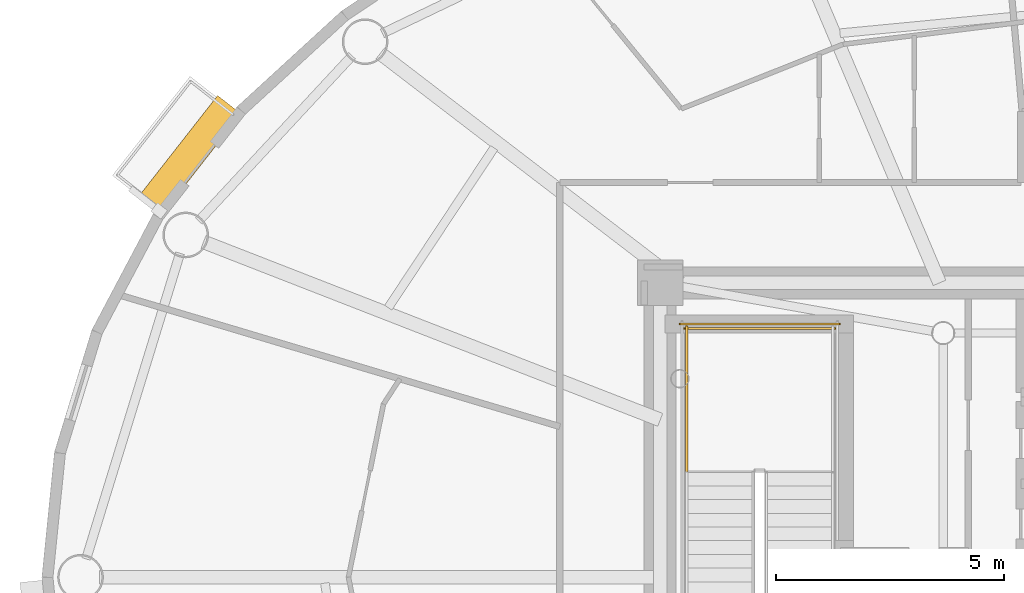
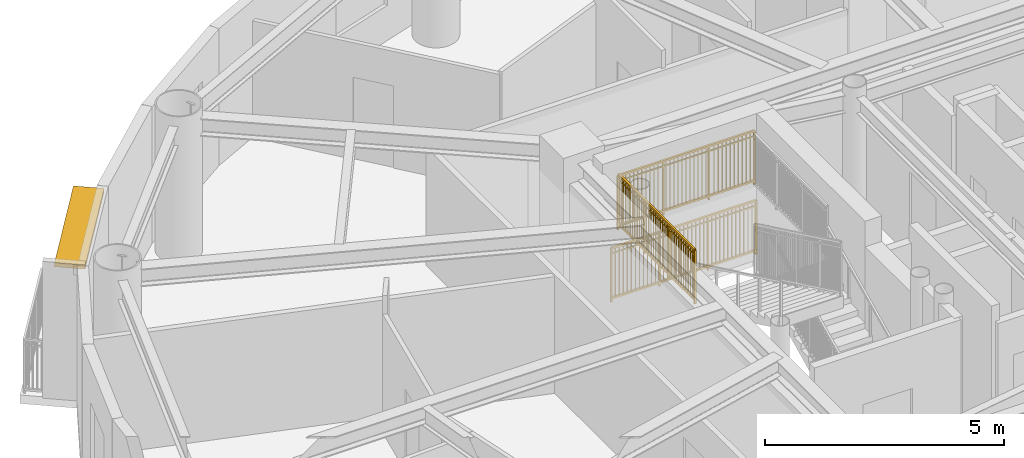
# One storey, part 14 of 17: 3 railings, 1 shading device.
"""IFC4 building model written with IfcOpenShell, lengths in metres."""

from ifc_helpers import new_model, si_unit, direction, frame, origin, origin_2d, place, context, subcontext, project, spatial, rectangle, extrude, source, transform, mapped, material, layer, layer_set, type_object, element, save


model = new_model("IFC4")

# Units and contexts
model_context = context("Model", 3, precision=1e-05, world=origin(), true_north=direction((0.0, 1.0)))
body_context = subcontext(model_context, "Body", "Model", "MODEL_VIEW")
ifc_project = project(units=[si_unit("LENGTHUNIT", "METRE"), si_unit("AREAUNIT", "SQUARE_METRE"), si_unit("VOLUMEUNIT", "CUBIC_METRE"), si_unit("PLANEANGLEUNIT", "RADIAN"), si_unit("MASSUNIT", "GRAM", prefix="KILO")], contexts=[model_context])

# Site, building, storey
site_placement = place(None, origin())
site = spatial("IfcSite", under=ifc_project, at=site_placement, CompositionType="ELEMENT")
building_placement = place(site_placement, origin())
building = spatial("IfcBuilding", under=site, at=building_placement, Name="Linh Dai School and Residence Tower", CompositionType="ELEMENT")
storey_placement = place(building_placement, frame((0.0, 0.0, 276.75)))
storey = spatial("IfcBuildingStorey", under=building, at=storey_placement, Name="L68", CompositionType="ELEMENT", Elevation=276.75)

# Shading device
ifc_material_1 = material(Name="Terracotta Ceramic Sunshade", Category="masonry")
ifc_layer = layer(ifc_material_1, 0.10009765625)
ifc_layer_set = layer_set([ifc_layer], Name="Terracotta Ceramic Sunshade")
shading_device_type = type_object("IfcShadingDeviceType", Name="SHD-TC-650", PredefinedType="USERDEFINED", material=ifc_layer_set)
shared_shape_1 = source(origin(), body_context, "Body", "SweptSolid", [
    extrude(rectangle(XDim=2.84033203125, YDim=0.64990234375, at=origin_2d()), origin(), (0.0, 0.0, 1.0), 0.10009765625),
])
shading_device_placement = place(storey_placement, frame((16.83349609375, 36.2353515625, 3.3798828125), z_axis=(0.0, 0.0, 1.0), x_axis=(0.616310813471, 0.78750300393, 0.0)))
element("IfcShadingDevice", 1, at=shading_device_placement, inside=storey, type_object=shading_device_type, Name="L68 Terracotta Horizontal Sunshade Band 17", ObjectType="SUNSHADE", PredefinedType="USERDEFINED", context=body_context, shape_type="MappedRepresentation", body=[
    mapped(shared_shape_1, transform((0.0, 0.0, 0.0), x_axis=(1.0, 0.0, 0.0), y_axis=(0.0, 1.0, 0.0), z_axis=(0.0, 0.0, 1.0), scale=1.0)),
])

# Railings
ifc_material_2 = material(Name="Structural Steel S355JR", Category="steel")
railing_type = type_object("IfcRailingType", Name="RL-ST-GUARD-1400", PredefinedType="GUARDRAIL", material=ifc_material_2)
shared_shape_2 = source(origin(), body_context, "Body", "SweptSolid", [
    extrude(rectangle(XDim=0.048095703125, YDim=0.048095703125, at=origin_2d()), frame((0.0, 0.0, 1.3759765625), z_axis=(-1.0, 0.0, 0.0), x_axis=(0.0, -1.0, 0.0)), (0.0, 0.0, 1.0), 3.300048828125),
    extrude(rectangle(XDim=0.048095703125, YDim=0.048095703125, at=origin_2d()), frame((0.0, 0.0, 0.10009765625), z_axis=(-1.0, 0.0, 0.0), x_axis=(0.0, -1.0, 0.0)), (0.0, 0.0, 1.0), 3.300048828125),
    extrude(rectangle(XDim=0.030029296875, YDim=0.030029296875, at=origin_2d()), frame((0.0, 0.0, 1.239990234375), z_axis=(-1.0, 0.0, 0.0), x_axis=(0.0, -1.0, 0.0)), (0.0, 0.0, 1.0), 3.300048828125),
    extrude(rectangle(XDim=0.02001953125, YDim=0.02001953125, at=origin_2d()), frame((-0.09716796875, 0.0, 0.10009765625)), (0.0, 0.0, 1.0), 1.251708984375),
    extrude(rectangle(XDim=0.02001953125, YDim=0.02001953125, at=origin_2d()), frame((-0.194091796875, 0.0, 0.10009765625)), (0.0, 0.0, 1.0), 1.251708984375),
    extrude(rectangle(XDim=0.02001953125, YDim=0.02001953125, at=origin_2d()), frame((-0.291259765625, 0.0, 0.10009765625)), (0.0, 0.0, 1.0), 1.251708984375),
    extrude(rectangle(XDim=0.02001953125, YDim=0.02001953125, at=origin_2d()), frame((-0.38818359375, 0.0, 0.10009765625)), (0.0, 0.0, 1.0), 1.251708984375),
    extrude(rectangle(XDim=0.02001953125, YDim=0.02001953125, at=origin_2d()), frame((-0.4853515625, 0.0, 0.10009765625)), (0.0, 0.0, 1.0), 1.251708984375),
    extrude(rectangle(XDim=0.02001953125, YDim=0.02001953125, at=origin_2d()), frame((-0.582275390625, 0.0, 0.10009765625)), (0.0, 0.0, 1.0), 1.251708984375),
    extrude(rectangle(XDim=0.02001953125, YDim=0.02001953125, at=origin_2d()), frame((-0.679443359375, 0.0, 0.10009765625)), (0.0, 0.0, 1.0), 1.251708984375),
    extrude(rectangle(XDim=0.02001953125, YDim=0.02001953125, at=origin_2d()), frame((-0.7763671875, 0.0, 0.10009765625)), (0.0, 0.0, 1.0), 1.251708984375),
    extrude(rectangle(XDim=0.02001953125, YDim=0.02001953125, at=origin_2d()), frame((-0.87353515625, 0.0, 0.10009765625)), (0.0, 0.0, 1.0), 1.251708984375),
    extrude(rectangle(XDim=0.02001953125, YDim=0.02001953125, at=origin_2d()), frame((-0.970703125, 0.0, 0.10009765625)), (0.0, 0.0, 1.0), 1.251708984375),
    extrude(rectangle(XDim=0.02001953125, YDim=0.02001953125, at=origin_2d()), frame((-1.164794921875, 0.0, 0.10009765625)), (0.0, 0.0, 1.0), 1.251708984375),
    extrude(rectangle(XDim=0.02001953125, YDim=0.02001953125, at=origin_2d()), frame((-1.26171875, 0.0, 0.10009765625)), (0.0, 0.0, 1.0), 1.251708984375),
    extrude(rectangle(XDim=0.02001953125, YDim=0.02001953125, at=origin_2d()), frame((-1.35888671875, 0.0, 0.10009765625)), (0.0, 0.0, 1.0), 1.251708984375),
    extrude(rectangle(XDim=0.02001953125, YDim=0.02001953125, at=origin_2d()), frame((-1.455810546875, 0.0, 0.10009765625)), (0.0, 0.0, 1.0), 1.251708984375),
    extrude(rectangle(XDim=0.02001953125, YDim=0.02001953125, at=origin_2d()), frame((-1.552978515625, 0.0, 0.10009765625)), (0.0, 0.0, 1.0), 1.251708984375),
    extrude(rectangle(XDim=0.02001953125, YDim=0.02001953125, at=origin_2d()), frame((-1.64990234375, 0.0, 0.10009765625)), (0.0, 0.0, 1.0), 1.251708984375),
    extrude(rectangle(XDim=0.02001953125, YDim=0.02001953125, at=origin_2d()), frame((-1.7470703125, 0.0, 0.10009765625)), (0.0, 0.0, 1.0), 1.251708984375),
    extrude(rectangle(XDim=0.02001953125, YDim=0.02001953125, at=origin_2d()), frame((-1.84423828125, 0.0, 0.10009765625)), (0.0, 0.0, 1.0), 1.251708984375),
    extrude(rectangle(XDim=0.02001953125, YDim=0.02001953125, at=origin_2d()), frame((-1.941162109375, 0.0, 0.10009765625)), (0.0, 0.0, 1.0), 1.251708984375),
    extrude(rectangle(XDim=0.02001953125, YDim=0.02001953125, at=origin_2d()), frame((-2.038330078125, 0.0, 0.10009765625)), (0.0, 0.0, 1.0), 1.251708984375),
    extrude(rectangle(XDim=0.02001953125, YDim=0.02001953125, at=origin_2d()), frame((-2.13525390625, 0.0, 0.10009765625)), (0.0, 0.0, 1.0), 1.251708984375),
    extrude(rectangle(XDim=0.02001953125, YDim=0.02001953125, at=origin_2d()), frame((-2.329345703125, 0.0, 0.10009765625)), (0.0, 0.0, 1.0), 1.251708984375),
    extrude(rectangle(XDim=0.02001953125, YDim=0.02001953125, at=origin_2d()), frame((-2.426513671875, 0.0, 0.10009765625)), (0.0, 0.0, 1.0), 1.251708984375),
    extrude(rectangle(XDim=0.02001953125, YDim=0.02001953125, at=origin_2d()), frame((-2.523681640625, 0.0, 0.10009765625)), (0.0, 0.0, 1.0), 1.251708984375),
    extrude(rectangle(XDim=0.02001953125, YDim=0.02001953125, at=origin_2d()), frame((-2.62060546875, 0.0, 0.10009765625)), (0.0, 0.0, 1.0), 1.251708984375),
    extrude(rectangle(XDim=0.02001953125, YDim=0.02001953125, at=origin_2d()), frame((-2.7177734375, 0.0, 0.10009765625)), (0.0, 0.0, 1.0), 1.251708984375),
    extrude(rectangle(XDim=0.02001953125, YDim=0.02001953125, at=origin_2d()), frame((-2.814697265625, 0.0, 0.10009765625)), (0.0, 0.0, 1.0), 1.251708984375),
    extrude(rectangle(XDim=0.02001953125, YDim=0.02001953125, at=origin_2d()), frame((-2.911865234375, 0.0, 0.10009765625)), (0.0, 0.0, 1.0), 1.251708984375),
    extrude(rectangle(XDim=0.02001953125, YDim=0.02001953125, at=origin_2d()), frame((-3.0087890625, 0.0, 0.10009765625)), (0.0, 0.0, 1.0), 1.251708984375),
    extrude(rectangle(XDim=0.02001953125, YDim=0.02001953125, at=origin_2d()), frame((-3.10595703125, 0.0, 0.10009765625)), (0.0, 0.0, 1.0), 1.251708984375),
    extrude(rectangle(XDim=0.02001953125, YDim=0.02001953125, at=origin_2d()), frame((-3.202880859375, 0.0, 0.10009765625)), (0.0, 0.0, 1.0), 1.251708984375),
    extrude(rectangle(XDim=0.0419921875, YDim=0.0419921875, at=origin_2d()), origin(), (0.0, 0.0, 1.0), 1.3759765625),
    extrude(rectangle(XDim=0.0419921875, YDim=0.0419921875, at=origin_2d()), frame((-1.10009765625, 0.0, 0.0)), (0.0, 0.0, 1.0), 1.3759765625),
    extrude(rectangle(XDim=0.0419921875, YDim=0.0419921875, at=origin_2d()), frame((-2.199951171875, 0.0, 0.0)), (0.0, 0.0, 1.0), 1.3759765625),
    extrude(rectangle(XDim=0.0419921875, YDim=0.0419921875, at=origin_2d()), frame((-3.300048828125, 0.0, 0.0)), (0.0, 0.0, 1.0), 1.3759765625),
])
railing_1_placement = place(storey_placement, frame((30.97998046875, 32.449951171875, 1.875)))
element("IfcRailing", 2, at=railing_1_placement, inside=storey, type_object=railing_type, Name="L68 ST1 stair guard 5", PredefinedType="GUARDRAIL", context=body_context, shape_type="MappedRepresentation", body=[
    mapped(shared_shape_2, transform((0.0, 0.0, 0.0), x_axis=(1.0, 0.0, 0.0), y_axis=(0.0, 1.0, 0.0), z_axis=(0.0, 0.0, 1.0), scale=1.0)),
])
shared_shape_3 = source(origin(), body_context, "Body", "SweptSolid", [
    extrude(rectangle(XDim=0.048095703125, YDim=0.048095703125, at=origin_2d()), frame((0.0, 0.0, 1.3759765625), z_axis=(-1.0, 0.0, 0.0), x_axis=(0.0, -1.0, 0.0)), (0.0, 0.0, 1.0), 3.5),
    extrude(rectangle(XDim=0.048095703125, YDim=0.048095703125, at=origin_2d()), frame((0.0, 0.0, 0.10009765625), z_axis=(-1.0, 0.0, 0.0), x_axis=(0.0, -1.0, 0.0)), (0.0, 0.0, 1.0), 3.5),
    extrude(rectangle(XDim=0.030029296875, YDim=0.030029296875, at=origin_2d()), frame((0.0, 0.0, 1.239990234375), z_axis=(-1.0, 0.0, 0.0), x_axis=(0.0, -1.0, 0.0)), (0.0, 0.0, 1.0), 3.5),
    extrude(rectangle(XDim=0.02001953125, YDim=0.02001953125, at=origin_2d()), frame((-0.09716796875, 0.0, 0.10009765625)), (0.0, 0.0, 1.0), 1.251708984375),
    extrude(rectangle(XDim=0.02001953125, YDim=0.02001953125, at=origin_2d()), frame((-0.1943359375, 0.0, 0.10009765625)), (0.0, 0.0, 1.0), 1.251708984375),
    extrude(rectangle(XDim=0.02001953125, YDim=0.02001953125, at=origin_2d()), frame((-0.291748046875, 0.0, 0.10009765625)), (0.0, 0.0, 1.0), 1.251708984375),
    extrude(rectangle(XDim=0.02001953125, YDim=0.02001953125, at=origin_2d()), frame((-0.388916015625, 0.0, 0.10009765625)), (0.0, 0.0, 1.0), 1.251708984375),
    extrude(rectangle(XDim=0.02001953125, YDim=0.02001953125, at=origin_2d()), frame((-0.486083984375, 0.0, 0.10009765625)), (0.0, 0.0, 1.0), 1.251708984375),
    extrude(rectangle(XDim=0.02001953125, YDim=0.02001953125, at=origin_2d()), frame((-0.583251953125, 0.0, 0.10009765625)), (0.0, 0.0, 1.0), 1.251708984375),
    extrude(rectangle(XDim=0.02001953125, YDim=0.02001953125, at=origin_2d()), frame((-0.6806640625, 0.0, 0.10009765625)), (0.0, 0.0, 1.0), 1.251708984375),
    extrude(rectangle(XDim=0.02001953125, YDim=0.02001953125, at=origin_2d()), frame((-0.77783203125, 0.0, 0.10009765625)), (0.0, 0.0, 1.0), 1.251708984375),
    extrude(rectangle(XDim=0.02001953125, YDim=0.02001953125, at=origin_2d()), frame((-0.875, 0.0, 0.10009765625)), (0.0, 0.0, 1.0), 1.251708984375),
    extrude(rectangle(XDim=0.02001953125, YDim=0.02001953125, at=origin_2d()), frame((-0.97216796875, 0.0, 0.10009765625)), (0.0, 0.0, 1.0), 1.251708984375),
    extrude(rectangle(XDim=0.02001953125, YDim=0.02001953125, at=origin_2d()), frame((-1.0693359375, 0.0, 0.10009765625)), (0.0, 0.0, 1.0), 1.251708984375),
    extrude(rectangle(XDim=0.02001953125, YDim=0.02001953125, at=origin_2d()), frame((-1.263916015625, 0.0, 0.10009765625)), (0.0, 0.0, 1.0), 1.251708984375),
    extrude(rectangle(XDim=0.02001953125, YDim=0.02001953125, at=origin_2d()), frame((-1.361083984375, 0.0, 0.10009765625)), (0.0, 0.0, 1.0), 1.251708984375),
    extrude(rectangle(XDim=0.02001953125, YDim=0.02001953125, at=origin_2d()), frame((-1.458251953125, 0.0, 0.10009765625)), (0.0, 0.0, 1.0), 1.251708984375),
    extrude(rectangle(XDim=0.02001953125, YDim=0.02001953125, at=origin_2d()), frame((-1.5556640625, 0.0, 0.10009765625)), (0.0, 0.0, 1.0), 1.251708984375),
    extrude(rectangle(XDim=0.02001953125, YDim=0.02001953125, at=origin_2d()), frame((-1.65283203125, 0.0, 0.10009765625)), (0.0, 0.0, 1.0), 1.251708984375),
    extrude(rectangle(XDim=0.02001953125, YDim=0.02001953125, at=origin_2d()), frame((-1.75, 0.0, 0.10009765625)), (0.0, 0.0, 1.0), 1.251708984375),
    extrude(rectangle(XDim=0.02001953125, YDim=0.02001953125, at=origin_2d()), frame((-1.84716796875, 0.0, 0.10009765625)), (0.0, 0.0, 1.0), 1.251708984375),
    extrude(rectangle(XDim=0.02001953125, YDim=0.02001953125, at=origin_2d()), frame((-1.9443359375, 0.0, 0.10009765625)), (0.0, 0.0, 1.0), 1.251708984375),
    extrude(rectangle(XDim=0.02001953125, YDim=0.02001953125, at=origin_2d()), frame((-2.041748046875, 0.0, 0.10009765625)), (0.0, 0.0, 1.0), 1.251708984375),
    extrude(rectangle(XDim=0.02001953125, YDim=0.02001953125, at=origin_2d()), frame((-2.138916015625, 0.0, 0.10009765625)), (0.0, 0.0, 1.0), 1.251708984375),
    extrude(rectangle(XDim=0.02001953125, YDim=0.02001953125, at=origin_2d()), frame((-2.236083984375, 0.0, 0.10009765625)), (0.0, 0.0, 1.0), 1.251708984375),
    extrude(rectangle(XDim=0.02001953125, YDim=0.02001953125, at=origin_2d()), frame((-2.4306640625, 0.0, 0.10009765625)), (0.0, 0.0, 1.0), 1.251708984375),
    extrude(rectangle(XDim=0.02001953125, YDim=0.02001953125, at=origin_2d()), frame((-2.52783203125, 0.0, 0.10009765625)), (0.0, 0.0, 1.0), 1.251708984375),
    extrude(rectangle(XDim=0.02001953125, YDim=0.02001953125, at=origin_2d()), frame((-2.625, 0.0, 0.10009765625)), (0.0, 0.0, 1.0), 1.251708984375),
    extrude(rectangle(XDim=0.02001953125, YDim=0.02001953125, at=origin_2d()), frame((-2.72216796875, 0.0, 0.10009765625)), (0.0, 0.0, 1.0), 1.251708984375),
    extrude(rectangle(XDim=0.02001953125, YDim=0.02001953125, at=origin_2d()), frame((-2.8193359375, 0.0, 0.10009765625)), (0.0, 0.0, 1.0), 1.251708984375),
    extrude(rectangle(XDim=0.02001953125, YDim=0.02001953125, at=origin_2d()), frame((-2.916748046875, 0.0, 0.10009765625)), (0.0, 0.0, 1.0), 1.251708984375),
    extrude(rectangle(XDim=0.02001953125, YDim=0.02001953125, at=origin_2d()), frame((-3.013916015625, 0.0, 0.10009765625)), (0.0, 0.0, 1.0), 1.251708984375),
    extrude(rectangle(XDim=0.02001953125, YDim=0.02001953125, at=origin_2d()), frame((-3.111083984375, 0.0, 0.10009765625)), (0.0, 0.0, 1.0), 1.251708984375),
    extrude(rectangle(XDim=0.02001953125, YDim=0.02001953125, at=origin_2d()), frame((-3.208251953125, 0.0, 0.10009765625)), (0.0, 0.0, 1.0), 1.251708984375),
    extrude(rectangle(XDim=0.02001953125, YDim=0.02001953125, at=origin_2d()), frame((-3.3056640625, 0.0, 0.10009765625)), (0.0, 0.0, 1.0), 1.251708984375),
    extrude(rectangle(XDim=0.02001953125, YDim=0.02001953125, at=origin_2d()), frame((-3.40283203125, 0.0, 0.10009765625)), (0.0, 0.0, 1.0), 1.251708984375),
    extrude(rectangle(XDim=0.0419921875, YDim=0.0419921875, at=origin_2d()), origin(), (0.0, 0.0, 1.0), 1.3759765625),
    extrude(rectangle(XDim=0.0419921875, YDim=0.0419921875, at=origin_2d()), frame((-1.166748046875, 0.0, 0.0)), (0.0, 0.0, 1.0), 1.3759765625),
    extrude(rectangle(XDim=0.0419921875, YDim=0.0419921875, at=origin_2d()), frame((-2.333251953125, 0.0, 0.0)), (0.0, 0.0, 1.0), 1.3759765625),
    extrude(rectangle(XDim=0.0419921875, YDim=0.0419921875, at=origin_2d()), frame((-3.5, 0.0, 0.0)), (0.0, 0.0, 1.0), 1.3759765625),
])
railing_2_placement = place(storey_placement, frame((31.080078125, 32.550048828125, 0.0)))
element("IfcRailing", 3, at=railing_2_placement, inside=storey, type_object=railing_type, Name="L68 ST1 stair guard 12", PredefinedType="GUARDRAIL", context=body_context, shape_type="MappedRepresentation", body=[
    mapped(shared_shape_3, transform((0.0, 0.0, 0.0), x_axis=(1.0, 0.0, 0.0), y_axis=(0.0, 1.0, 0.0), z_axis=(0.0, 0.0, 1.0), scale=1.0)),
])
shared_shape_4 = source(origin(), body_context, "Body", "SweptSolid", [
    extrude(rectangle(XDim=0.048095703125, YDim=0.048095703125, at=origin_2d()), frame((0.0, 0.0, 1.3759765625), z_axis=(0.0, 1.0, 0.0), x_axis=(-1.0, 0.0, 0.0)), (0.0, 0.0, 1.0), 3.199951171875),
    extrude(rectangle(XDim=0.048095703125, YDim=0.048095703125, at=origin_2d()), frame((0.0, 0.0, 0.10009765625), z_axis=(0.0, 1.0, 0.0), x_axis=(-1.0, 0.0, 0.0)), (0.0, 0.0, 1.0), 3.199951171875),
    extrude(rectangle(XDim=0.030029296875, YDim=0.030029296875, at=origin_2d()), frame((0.0, 0.0, 1.239990234375), z_axis=(0.0, 1.0, 0.0), x_axis=(-1.0, 0.0, 0.0)), (0.0, 0.0, 1.0), 3.199951171875),
    extrude(rectangle(XDim=0.02001953125, YDim=0.02001953125, at=origin_2d()), frame((0.0, 0.096923828125, 0.10009765625)), (0.0, 0.0, 1.0), 1.251708984375),
    extrude(rectangle(XDim=0.02001953125, YDim=0.02001953125, at=origin_2d()), frame((0.0, 0.19384765625, 0.10009765625)), (0.0, 0.0, 1.0), 1.251708984375),
    extrude(rectangle(XDim=0.02001953125, YDim=0.02001953125, at=origin_2d()), frame((0.0, 0.291015625, 0.10009765625)), (0.0, 0.0, 1.0), 1.251708984375),
    extrude(rectangle(XDim=0.02001953125, YDim=0.02001953125, at=origin_2d()), frame((0.0, 0.387939453125, 0.10009765625)), (0.0, 0.0, 1.0), 1.251708984375),
    extrude(rectangle(XDim=0.02001953125, YDim=0.02001953125, at=origin_2d()), frame((0.0, 0.48486328125, 0.10009765625)), (0.0, 0.0, 1.0), 1.251708984375),
    extrude(rectangle(XDim=0.02001953125, YDim=0.02001953125, at=origin_2d()), frame((0.0, 0.581787109375, 0.10009765625)), (0.0, 0.0, 1.0), 1.251708984375),
    extrude(rectangle(XDim=0.02001953125, YDim=0.02001953125, at=origin_2d()), frame((0.0, 0.6787109375, 0.10009765625)), (0.0, 0.0, 1.0), 1.251708984375),
    extrude(rectangle(XDim=0.02001953125, YDim=0.02001953125, at=origin_2d()), frame((0.0, 0.775634765625, 0.10009765625)), (0.0, 0.0, 1.0), 1.251708984375),
    extrude(rectangle(XDim=0.02001953125, YDim=0.02001953125, at=origin_2d()), frame((0.0, 0.872802734375, 0.10009765625)), (0.0, 0.0, 1.0), 1.251708984375),
    extrude(rectangle(XDim=0.02001953125, YDim=0.02001953125, at=origin_2d()), frame((0.0, 0.9697265625, 0.10009765625)), (0.0, 0.0, 1.0), 1.251708984375),
    extrude(rectangle(XDim=0.02001953125, YDim=0.02001953125, at=origin_2d()), frame((0.0, 1.16357421875, 0.10009765625)), (0.0, 0.0, 1.0), 1.251708984375),
    extrude(rectangle(XDim=0.02001953125, YDim=0.02001953125, at=origin_2d()), frame((0.0, 1.260498046875, 0.10009765625)), (0.0, 0.0, 1.0), 1.251708984375),
    extrude(rectangle(XDim=0.02001953125, YDim=0.02001953125, at=origin_2d()), frame((0.0, 1.357666015625, 0.10009765625)), (0.0, 0.0, 1.0), 1.251708984375),
    extrude(rectangle(XDim=0.02001953125, YDim=0.02001953125, at=origin_2d()), frame((0.0, 1.45458984375, 0.10009765625)), (0.0, 0.0, 1.0), 1.251708984375),
    extrude(rectangle(XDim=0.02001953125, YDim=0.02001953125, at=origin_2d()), frame((0.0, 1.551513671875, 0.10009765625)), (0.0, 0.0, 1.0), 1.251708984375),
    extrude(rectangle(XDim=0.02001953125, YDim=0.02001953125, at=origin_2d()), frame((0.0, 1.6484375, 0.10009765625)), (0.0, 0.0, 1.0), 1.251708984375),
    extrude(rectangle(XDim=0.02001953125, YDim=0.02001953125, at=origin_2d()), frame((0.0, 1.745361328125, 0.10009765625)), (0.0, 0.0, 1.0), 1.251708984375),
    extrude(rectangle(XDim=0.02001953125, YDim=0.02001953125, at=origin_2d()), frame((0.0, 1.84228515625, 0.10009765625)), (0.0, 0.0, 1.0), 1.251708984375),
    extrude(rectangle(XDim=0.02001953125, YDim=0.02001953125, at=origin_2d()), frame((0.0, 1.939453125, 0.10009765625)), (0.0, 0.0, 1.0), 1.251708984375),
    extrude(rectangle(XDim=0.02001953125, YDim=0.02001953125, at=origin_2d()), frame((0.0, 2.036376953125, 0.10009765625)), (0.0, 0.0, 1.0), 1.251708984375),
    extrude(rectangle(XDim=0.02001953125, YDim=0.02001953125, at=origin_2d()), frame((0.0, 2.230224609375, 0.10009765625)), (0.0, 0.0, 1.0), 1.251708984375),
    extrude(rectangle(XDim=0.02001953125, YDim=0.02001953125, at=origin_2d()), frame((0.0, 2.3271484375, 0.10009765625)), (0.0, 0.0, 1.0), 1.251708984375),
    extrude(rectangle(XDim=0.02001953125, YDim=0.02001953125, at=origin_2d()), frame((0.0, 2.42431640625, 0.10009765625)), (0.0, 0.0, 1.0), 1.251708984375),
    extrude(rectangle(XDim=0.02001953125, YDim=0.02001953125, at=origin_2d()), frame((0.0, 2.521240234375, 0.10009765625)), (0.0, 0.0, 1.0), 1.251708984375),
    extrude(rectangle(XDim=0.02001953125, YDim=0.02001953125, at=origin_2d()), frame((0.0, 2.6181640625, 0.10009765625)), (0.0, 0.0, 1.0), 1.251708984375),
    extrude(rectangle(XDim=0.02001953125, YDim=0.02001953125, at=origin_2d()), frame((0.0, 2.715087890625, 0.10009765625)), (0.0, 0.0, 1.0), 1.251708984375),
    extrude(rectangle(XDim=0.02001953125, YDim=0.02001953125, at=origin_2d()), frame((0.0, 2.81201171875, 0.10009765625)), (0.0, 0.0, 1.0), 1.251708984375),
    extrude(rectangle(XDim=0.02001953125, YDim=0.02001953125, at=origin_2d()), frame((0.0, 2.908935546875, 0.10009765625)), (0.0, 0.0, 1.0), 1.251708984375),
    extrude(rectangle(XDim=0.02001953125, YDim=0.02001953125, at=origin_2d()), frame((0.0, 3.006103515625, 0.10009765625)), (0.0, 0.0, 1.0), 1.251708984375),
    extrude(rectangle(XDim=0.02001953125, YDim=0.02001953125, at=origin_2d()), frame((0.0, 3.10302734375, 0.10009765625)), (0.0, 0.0, 1.0), 1.251708984375),
    extrude(rectangle(XDim=0.0419921875, YDim=0.0419921875, at=origin_2d()), origin(), (0.0, 0.0, 1.0), 1.3759765625),
    extrude(rectangle(XDim=0.0419921875, YDim=0.0419921875, at=origin_2d()), frame((0.0, 1.066650390625, 0.0)), (0.0, 0.0, 1.0), 1.3759765625),
    extrude(rectangle(XDim=0.0419921875, YDim=0.0419921875, at=origin_2d()), frame((0.0, 2.13330078125, 0.0)), (0.0, 0.0, 1.0), 1.3759765625),
    extrude(rectangle(XDim=0.0419921875, YDim=0.0419921875, at=origin_2d()), frame((0.0, 3.199951171875, 0.0)), (0.0, 0.0, 1.0), 1.3759765625),
])
railing_3_placement = place(storey_placement, frame((27.72998046875, 29.300048828125, 1.875)))
element("IfcRailing", 4, at=railing_3_placement, inside=storey, type_object=railing_type, Name="L68 ST1 stair guard 4", PredefinedType="GUARDRAIL", context=body_context, shape_type="MappedRepresentation", body=[
    mapped(shared_shape_4, transform((0.0, 0.0, 0.0), x_axis=(1.0, 0.0, 0.0), y_axis=(0.0, 1.0, 0.0), z_axis=(0.0, 0.0, 1.0), scale=1.0)),
])

save(model, "model.ifc")
